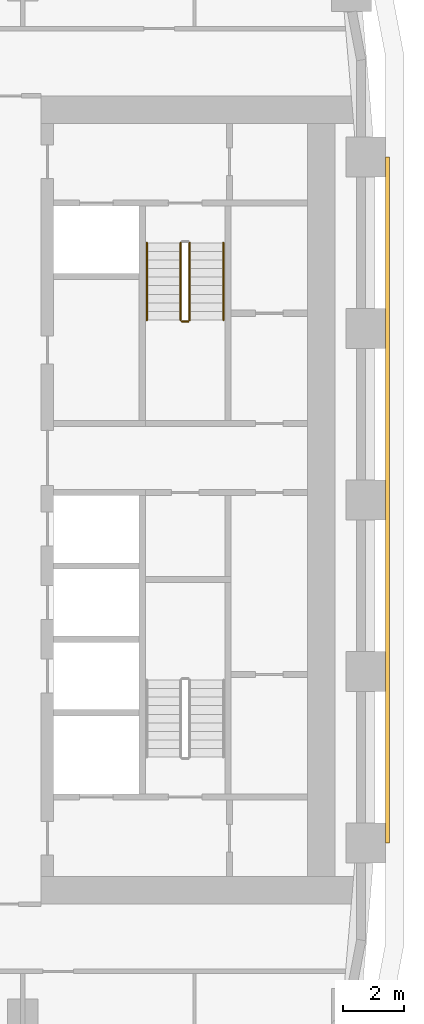
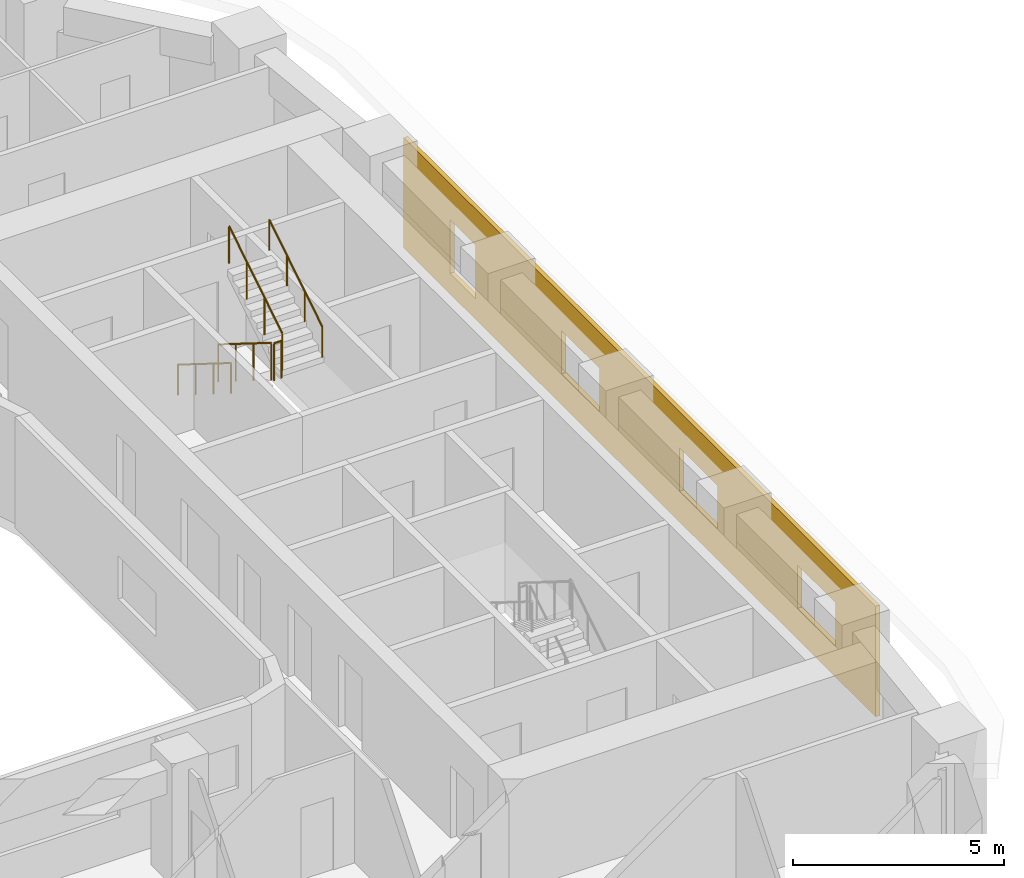
# One storey, part 18 of 21: 5 railings, 1 covering.
"""IFC4 building model written with IfcOpenShell, lengths in metres."""

from ifc_helpers import new_model, si_unit, direction, frame, origin, origin_2d, place, context, subcontext, project, spatial, polyline, circle, outline, extrude, material, layer, layer_set, type_object, element, save


model = new_model("IFC4")

# Units and contexts
model_context = context("Model", 3, precision=1e-05, world=origin(), true_north=direction((0.0, 1.0)))
body_context = subcontext(model_context, "Body", "Model", "MODEL_VIEW")
ifc_project = project(units=[si_unit("LENGTHUNIT", "METRE"), si_unit("AREAUNIT", "SQUARE_METRE"), si_unit("VOLUMEUNIT", "CUBIC_METRE"), si_unit("PLANEANGLEUNIT", "RADIAN"), si_unit("MASSUNIT", "GRAM", prefix="KILO")], contexts=[model_context])

# Site, building, storey
site_placement = place(None, origin())
site = spatial("IfcSite", under=ifc_project, at=site_placement, CompositionType="ELEMENT")
building_placement = place(site_placement, origin())
building = spatial("IfcBuilding", under=site, at=building_placement, Name="Kiln Ring Residences", CompositionType="ELEMENT")
storey_placement = place(building_placement, frame((0.0, 0.0, 93.800048828125)))
storey = spatial("IfcBuildingStorey", under=building, at=storey_placement, Name="L23", CompositionType="ELEMENT", Elevation=93.800048828125)

# Railings
ifc_material_1 = material(Name="Stainless steel", Category="steel")
railing_type_1 = type_object("IfcRailingType", Name="CORE-STAIR-GUARD", PredefinedType="GUARDRAIL", material=ifc_material_1)
railing_1_placement = place(storey_placement, frame((21.949951171875, 8.39990234375, 0.175048828125)))
element("IfcRailing", 1, at=railing_1_placement, inside=storey, type_object=railing_type_1, Name="L23 E-STN stair guard 1", PredefinedType="GUARDRAIL", context=body_context, shape_type="SweptSolid", body=[
    extrude(circle(Radius=0.02392578125, at=origin_2d()), frame((0.0, 0.0, 1.076171875), z_axis=(0.0, -0.848007534815, 0.529984170421), x_axis=(1.0, 0.0, 0.0)), (0.0, 0.0, 1.0), 2.9716796875),
    extrude(circle(Radius=0.02099609375, at=origin_2d()), origin(), (0.0, 0.0, 1.0), 1.052001953125),
    extrude(circle(Radius=0.02099609375, at=origin_2d()), frame((0.0, -0.840087890625, 0.52490234375)), (0.0, 0.0, 1.0), 1.052001953125),
    extrude(circle(Radius=0.02099609375, at=origin_2d()), frame((0.0, -1.679931640625, 1.050048828125)), (0.0, 0.0, 1.0), 1.052001953125),
    extrude(circle(Radius=0.02099609375, at=origin_2d()), frame((0.0, -2.52001953125, 1.574951171875)), (0.0, 0.0, 1.0), 1.052001953125),
])
railing_2_placement = place(storey_placement, frame((22.0, 5.830078125, 1.75)))
element("IfcRailing", 2, at=railing_2_placement, inside=storey, type_object=railing_type_1, Name="L23 E-STN stair guard 2", PredefinedType="GUARDRAIL", context=body_context, shape_type="SweptSolid", body=[
    extrude(circle(Radius=0.02392578125, at=origin_2d()), frame((0.0, 0.0, 1.076171875), z_axis=(1.0, 0.0, 0.0), x_axis=(0.0, 1.0, 0.0)), (0.0, 0.0, 1.0), 0.199951171875),
    extrude(circle(Radius=0.02099609375, at=origin_2d()), origin(), (0.0, 0.0, 1.0), 1.052001953125),
    extrude(circle(Radius=0.02099609375, at=origin_2d()), frame((0.199951171875, 0.0, 0.0)), (0.0, 0.0, 1.0), 1.052001953125),
])
railing_3_placement = place(storey_placement, frame((22.25, 5.8798828125, 1.925048828125)))
element("IfcRailing", 3, at=railing_3_placement, inside=storey, type_object=railing_type_1, Name="L23 E-STN stair guard 3", PredefinedType="GUARDRAIL", context=body_context, shape_type="SweptSolid", body=[
    extrude(circle(Radius=0.02392578125, at=origin_2d()), frame((0.0, 0.0, 1.076171875), z_axis=(0.0, 0.848007534815, 0.529984170421), x_axis=(-1.0, 0.0, 0.0)), (0.0, 0.0, 1.0), 2.9716796875),
    extrude(circle(Radius=0.02099609375, at=origin_2d()), origin(), (0.0, 0.0, 1.0), 1.052001953125),
    extrude(circle(Radius=0.02099609375, at=origin_2d()), frame((0.0, 0.840087890625, 0.52490234375)), (0.0, 0.0, 1.0), 1.052001953125),
    extrude(circle(Radius=0.02099609375, at=origin_2d()), frame((0.0, 1.679931640625, 1.050048828125)), (0.0, 0.0, 1.0), 1.052001953125),
    extrude(circle(Radius=0.02099609375, at=origin_2d()), frame((0.0, 2.52001953125, 1.574951171875)), (0.0, 0.0, 1.0), 1.052001953125),
])
ifc_material_2 = material(Name="Stainless steel", Category="steel")
railing_type_2 = type_object("IfcRailingType", Name="CORE-STAIR-HANDRAIL", PredefinedType="HANDRAIL", material=ifc_material_2)
railing_4_placement = place(storey_placement, frame((20.85009765625, 8.39990234375, 0.175048828125)))
element("IfcRailing", 4, at=railing_4_placement, inside=storey, type_object=railing_type_2, Name="L23 E-STN stair handrail 1", PredefinedType="HANDRAIL", context=body_context, shape_type="SweptSolid", body=[
    extrude(circle(Radius=0.02392578125, at=origin_2d()), frame((0.0, 0.0, 0.8759765625), z_axis=(0.0, -0.848007534815, 0.529984170421), x_axis=(1.0, 0.0, 0.0)), (0.0, 0.0, 1.0), 2.9716796875),
    extrude(circle(Radius=0.02099609375, at=origin_2d()), origin(), (0.0, 0.0, 1.0), 0.851806640625),
    extrude(circle(Radius=0.02099609375, at=origin_2d()), frame((0.0, -0.840087890625, 0.52490234375)), (0.0, 0.0, 1.0), 0.851806640625),
    extrude(circle(Radius=0.02099609375, at=origin_2d()), frame((0.0, -1.679931640625, 1.050048828125)), (0.0, 0.0, 1.0), 0.851806640625),
    extrude(circle(Radius=0.02099609375, at=origin_2d()), frame((0.0, -2.52001953125, 1.574951171875)), (0.0, 0.0, 1.0), 0.851806640625),
])
railing_5_placement = place(storey_placement, frame((23.35009765625, 5.8798828125, 1.925048828125)))
element("IfcRailing", 5, at=railing_5_placement, inside=storey, type_object=railing_type_2, Name="L23 E-STN stair handrail 2", PredefinedType="HANDRAIL", context=body_context, shape_type="SweptSolid", body=[
    extrude(circle(Radius=0.02392578125, at=origin_2d()), frame((0.0, 0.0, 0.8759765625), z_axis=(0.0, 0.848007534815, 0.529984170421), x_axis=(-1.0, 0.0, 0.0)), (0.0, 0.0, 1.0), 2.9716796875),
    extrude(circle(Radius=0.02099609375, at=origin_2d()), origin(), (0.0, 0.0, 1.0), 0.851806640625),
    extrude(circle(Radius=0.02099609375, at=origin_2d()), frame((0.0, 0.840087890625, 0.52490234375)), (0.0, 0.0, 1.0), 0.851806640625),
    extrude(circle(Radius=0.02099609375, at=origin_2d()), frame((0.0, 1.679931640625, 1.050048828125)), (0.0, 0.0, 1.0), 0.851806640625),
    extrude(circle(Radius=0.02099609375, at=origin_2d()), frame((0.0, 2.52001953125, 1.574951171875)), (0.0, 0.0, 1.0), 0.851806640625),
])

# Covering
ifc_material_3 = material(Name="Brick masonry, dark clay brick", Category="masonry")
ifc_layer = layer(ifc_material_3, 0.1201171875)
ifc_layer_set = layer_set([ifc_layer], Name="RAINSCREEN PANEL 120")
covering_type = type_object("IfcCoveringType", Name="RAINSCREEN PANEL 120", PredefinedType="CLADDING", material=ifc_layer_set)
covering_placement = place(storey_placement, frame((28.7099609375, -11.199951171875, 0.0), z_axis=(0.0, 0.0, 1.0), x_axis=(0.0, 1.0, 0.0)))
element("IfcCovering", 6, at=covering_placement, inside=storey, type_object=covering_type, Name="RAINSCREEN L23", PredefinedType="CLADDING", context=body_context, shape_type="SweptSolid", body=[
    extrude(outline(polyline([(0.0, 0.0), (22.39990234375, 0.0), (22.39990234375, 3.199951171875), (0.0, 3.199951171875), (0.0, 0.0)]), holes=[polyline([(20.199951171875, 0.599853515625), (20.199951171875, 2.14990234375), (19.0, 2.14990234375), (19.0, 0.599853515625), (20.199951171875, 0.599853515625)]), polyline([(3.699951171875, 0.89990234375), (3.699951171875, 2.14990234375), (1.89990234375, 2.14990234375), (1.89990234375, 0.89990234375), (3.699951171875, 0.89990234375)]), polyline([(9.300048828125, 0.89990234375), (9.300048828125, 2.14990234375), (7.5, 2.14990234375), (7.5, 0.89990234375), (9.300048828125, 0.89990234375)]), polyline([(14.89990234375, 0.89990234375), (14.89990234375, 2.14990234375), (13.10009765625, 2.14990234375), (13.10009765625, 0.89990234375), (14.89990234375, 0.89990234375)])]), frame((0.0, 0.06005859375, 0.0), z_axis=(0.0, -1.0, 0.0), x_axis=(1.0, 0.0, 0.0)), (0.0, 0.0, 1.0), 0.1201171875),
])

save(model, "model.ifc")
